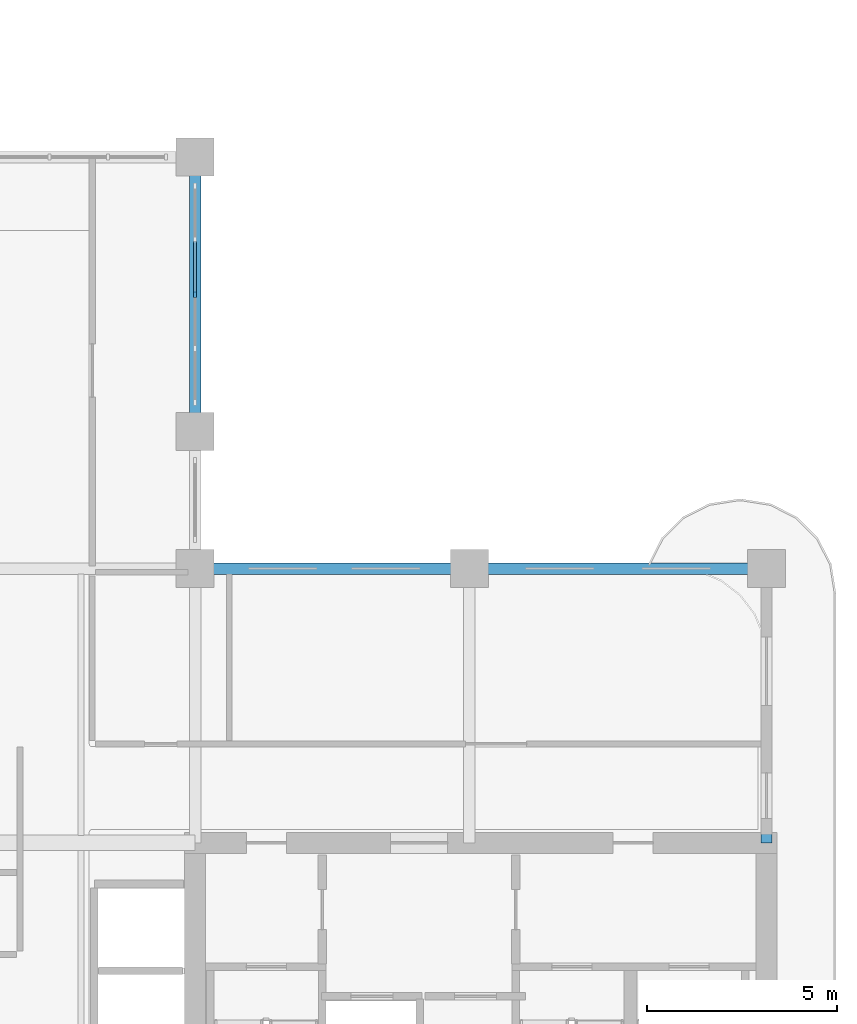
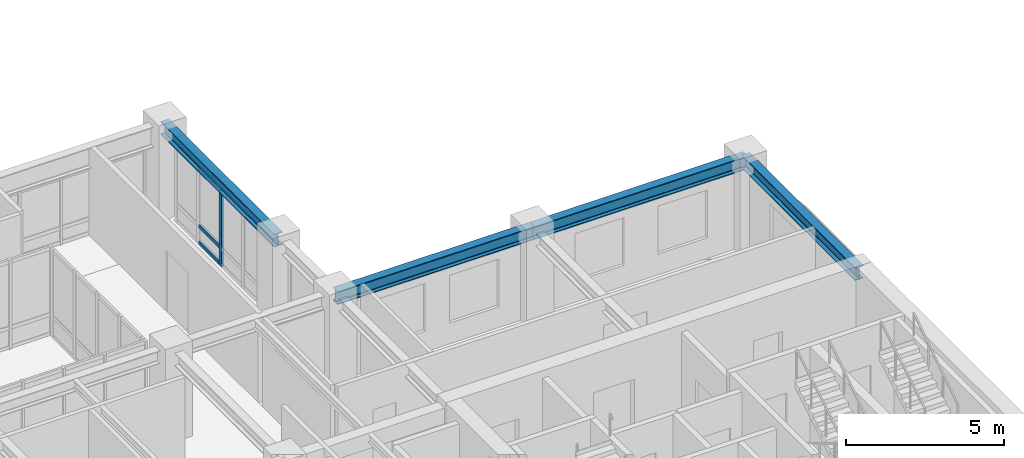
# One storey, part 4 of 19: 4 beams, 4 members, 1 element without a shape of its own.
"""IFC4 building model written with IfcOpenShell, lengths in metres."""

from ifc_helpers import new_model, si_unit, derived_unit, direction, frame, origin, origin_2d, place, context, subcontext, project, spatial, rectangle, i_section, extrude, source, transform, mapped, material, layer, layer_set, material_profile, profile_set, type_object, type_shapes, element, aggregate, save


model = new_model("IFC4")

# Units and contexts
model_context = context("Model", 3, precision=1e-05, world=origin(), true_north=direction((0.0, 1.0)))
body_context = subcontext(model_context, "Body", "Model", "MODEL_VIEW")
ifc_project = project(units=[si_unit("LENGTHUNIT", "METRE"), si_unit("AREAUNIT", "SQUARE_METRE"), si_unit("VOLUMEUNIT", "CUBIC_METRE"), si_unit("PLANEANGLEUNIT", "RADIAN"), si_unit("MASSUNIT", "GRAM", prefix="KILO"), si_unit("THERMODYNAMICTEMPERATUREUNIT", "KELVIN"), si_unit("POWERUNIT", "WATT"), derived_unit("THERMALTRANSMITTANCEUNIT", [(si_unit("POWERUNIT", "WATT"), 1), (si_unit("AREAUNIT", "SQUARE_METRE"), -1), (si_unit("THERMODYNAMICTEMPERATUREUNIT", "KELVIN"), -1)])], contexts=[model_context])

# Site, building, storey
site_placement = place(None, origin())
site = spatial("IfcSite", under=ifc_project, at=site_placement, CompositionType="ELEMENT")
building_placement = place(site_placement, origin())
building = spatial("IfcBuilding", under=site, at=building_placement, Name="Zahravan Archway Hotel and Residences", CompositionType="ELEMENT")
storey_placement = place(building_placement, frame((0.0, 0.0, 134.0)))
storey = spatial("IfcBuildingStorey", under=building, at=storey_placement, Name="L33", CompositionType="ELEMENT", Elevation=134.0)

# Beams
ifc_material_1 = material(Name="Structural Steel S355JR", Category="steel")
ifc_material_profile_1 = material_profile(ifc_material_1, i_section(OverallWidth=0.300048828125, OverallDepth=0.5, WebThickness=0.014404296875, FlangeThickness=0.028076171875, FilletRadius=0.027099609375, at=origin_2d()), Name="HEB 500", Category="steel")
ifc_profile_set_1 = profile_set([ifc_material_profile_1], Name="Structural Steel S355JR")
beam_type = type_object("IfcBeamType", Name="BM-PRI-HEB500", PredefinedType="BEAM", material=ifc_profile_set_1)
shared_shape_1 = source(origin(), body_context, "Body", "SweptSolid", [
    extrude(i_section(OverallWidth=0.300048828125, OverallDepth=0.5, WebThickness=0.014404296875, FlangeThickness=0.028076171875, FilletRadius=0.027099609375, at=origin_2d()), origin(), (0.0, 0.0, 1.0), 7.2001953125),
])
type_shapes(beam_type, [shared_shape_1])
beam_1_placement = place(storey_placement, frame((49.800048828125, 14.39990234375, 3.199951171875), z_axis=(0.0, 1.0, 0.0), x_axis=(-1.0, 0.0, 0.0)))
element("IfcBeam", 1, at=beam_1_placement, inside=storey, type_object=beam_type, Name="L33 Primary Girder NS-45", PredefinedType="BEAM", context=body_context, shape_type="MappedRepresentation", body=[
    mapped(shared_shape_1, transform((0.0, 0.0, 0.0), scale=1.0)),
])
shared_shape_2 = source(origin(), body_context, "Body", "SweptSolid", [
    extrude(i_section(OverallWidth=0.300048828125, OverallDepth=0.5, WebThickness=0.014404296875, FlangeThickness=0.028076171875, FilletRadius=0.027099609375, at=origin_2d()), origin(), (0.0, 0.0, 1.0), 7.199951171875),
])
for number, where, z_axis, x_axis, name in (
    (2, (34.800048828125, 21.60009765625, 3.199951171875), (1.0, 0.0, 0.0), (0.0, 1.0, 0.0), "L33 Primary Girder EW-14"),
    (3, (34.800048828125, 25.199951171875, 3.199951171875), (0.0, 1.0, 0.0), (-1.0, 0.0, 0.0), "L33 Primary Girder NS-43"),
):
    element("IfcBeam", number, at=place(storey_placement, frame(where, z_axis=z_axis, x_axis=x_axis)), inside=storey, type_object=beam_type, Name=name, PredefinedType="BEAM", context=body_context, shape_type="MappedRepresentation", body=[
        mapped(shared_shape_2, transform((0.0, 0.0, 0.0), scale=1.0)),
    ])
shared_shape_3 = source(origin(), body_context, "Body", "SweptSolid", [
    extrude(i_section(OverallWidth=0.300048828125, OverallDepth=0.5, WebThickness=0.014404296875, FlangeThickness=0.028076171875, FilletRadius=0.027099609375, at=origin_2d()), origin(), (0.0, 0.0, 1.0), 7.800048828125),
])
beam_2_placement = place(storey_placement, frame((42.0, 21.60009765625, 3.199951171875), z_axis=(1.0, 0.0, 0.0), x_axis=(0.0, 1.0, 0.0)))
element("IfcBeam", 4, at=beam_2_placement, inside=storey, type_object=beam_type, Name="L33 Primary Girder EW-15", PredefinedType="BEAM", context=body_context, shape_type="MappedRepresentation", body=[
    mapped(shared_shape_3, transform((0.0, 0.0, 0.0), scale=1.0)),
])

# Curtain wall, members
ifc_material_2 = material(Name="Bronze-Anodized Unitised Aluminium & Low-E Glass", Category="aluminium")
ifc_layer = layer(ifc_material_2, 0.179931640625, Name="Bronze-Anodized Unitised Aluminium & Low-E Glass", Category="aluminium")
ifc_layer_set = layer_set([ifc_layer], Name="Bronze-Anodized Unitised Aluminium & Low-E Glass")
curtain_wall_type = type_object("IfcCurtainWallType", Name="CW-ATR-GLAZ", PredefinedType="NOTDEFINED", material=ifc_layer_set)
curtain_wall_placement = place(storey_placement, origin())
curtain_wall = element("IfcCurtainWall", 5, at=curtain_wall_placement, inside=storey, type_object=curtain_wall_type, Name="L33 Curtain Wall CW-L33-HNG-E-2", PredefinedType="NOTDEFINED")
ifc_material_3 = material(Name="Bronze-Anodized Extruded Aluminium", Category="aluminium")
ifc_material_profile_2 = material_profile(ifc_material_3, rectangle(XDim=0.080078125, YDim=0.139892578125, at=origin_2d()), Name="TRN 80x140", Category="aluminium")
ifc_profile_set_2 = profile_set([ifc_material_profile_2], Name="Bronze-Anodized Extruded Aluminium")
member_type_1 = type_object("IfcMemberType", Name="CWM-TRN-140", PredefinedType="USERDEFINED", material=ifc_profile_set_2)
shared_shape_4 = source(origin(), body_context, "Body", "SweptSolid", [
    extrude(rectangle(XDim=0.080078125, YDim=0.139892578125, at=origin_2d()), origin(), (0.0, 0.0, 1.0), 1.33984375),
])
member_1_placement = place(storey_placement, frame((34.800048828125, 28.840087890625, 0.070068359375), z_axis=(0.0, 1.0, 0.0), x_axis=(-1.0, 0.0, 0.0)))
member_1 = element("IfcMember", 6, at=member_1_placement, type_object=member_type_1, Name="CW-L33-HNG-E-2 Transom 2-1", ObjectType="TRANSOM", PredefinedType="USERDEFINED", context=body_context, shape_type="MappedRepresentation", body=[
    mapped(shared_shape_4, transform((0.0, 0.0, 0.0), scale=1.0)),
])
member_2_placement = place(storey_placement, frame((34.800048828125, 28.840087890625, 0.704345703125), z_axis=(0.0, 1.0, 0.0), x_axis=(-1.0, 0.0, 0.0)))
member_2 = element("IfcMember", 7, at=member_2_placement, type_object=member_type_1, Name="CW-L33-HNG-E-2 Transom 2-2", ObjectType="TRANSOM", PredefinedType="USERDEFINED", context=body_context, shape_type="MappedRepresentation", body=[
    mapped(shared_shape_4, transform((0.0, 0.0, 0.0), scale=1.0)),
])
member_3_placement = place(storey_placement, frame((34.800048828125, 28.840087890625, 2.864990234375), z_axis=(0.0, 1.0, 0.0), x_axis=(-1.0, 0.0, 0.0)))
member_3 = element("IfcMember", 8, at=member_3_placement, type_object=member_type_1, Name="CW-L33-HNG-E-2 Transom 2-3", ObjectType="TRANSOM", PredefinedType="USERDEFINED", context=body_context, shape_type="MappedRepresentation", body=[
    mapped(shared_shape_4, transform((0.0, 0.0, 0.0), scale=1.0)),
])
ifc_material_profile_3 = material_profile(ifc_material_3, rectangle(XDim=0.080078125, YDim=0.159912109375, at=origin_2d()), Name="MUL 80x160", Category="aluminium")
ifc_profile_set_3 = profile_set([ifc_material_profile_3], Name="Bronze-Anodized Extruded Aluminium")
member_type_2 = type_object("IfcMemberType", Name="CWM-MUL-160", PredefinedType="MULLION", material=ifc_profile_set_3)
shared_shape_5 = source(origin(), body_context, "Body", "SweptSolid", [
    extrude(rectangle(XDim=0.080078125, YDim=0.159912109375, at=origin_2d()), origin(), (0.0, 0.0, 1.0), 2.93505859375),
])
member_4_placement = place(storey_placement, frame((34.800048828125, 28.800048828125, 0.0), z_axis=(0.0, 0.0, 1.0), x_axis=(1.0, 0.0, 0.0)))
member_4 = element("IfcMember", 9, at=member_4_placement, type_object=member_type_2, Name="CW-L33-HNG-E-2 Mullion 2", PredefinedType="MULLION", context=body_context, shape_type="MappedRepresentation", body=[
    mapped(shared_shape_5, transform((0.0, 0.0, 0.0), scale=1.0)),
])
aggregate(curtain_wall, [member_4, member_1, member_2, member_3])

save(model, "model.ifc")
